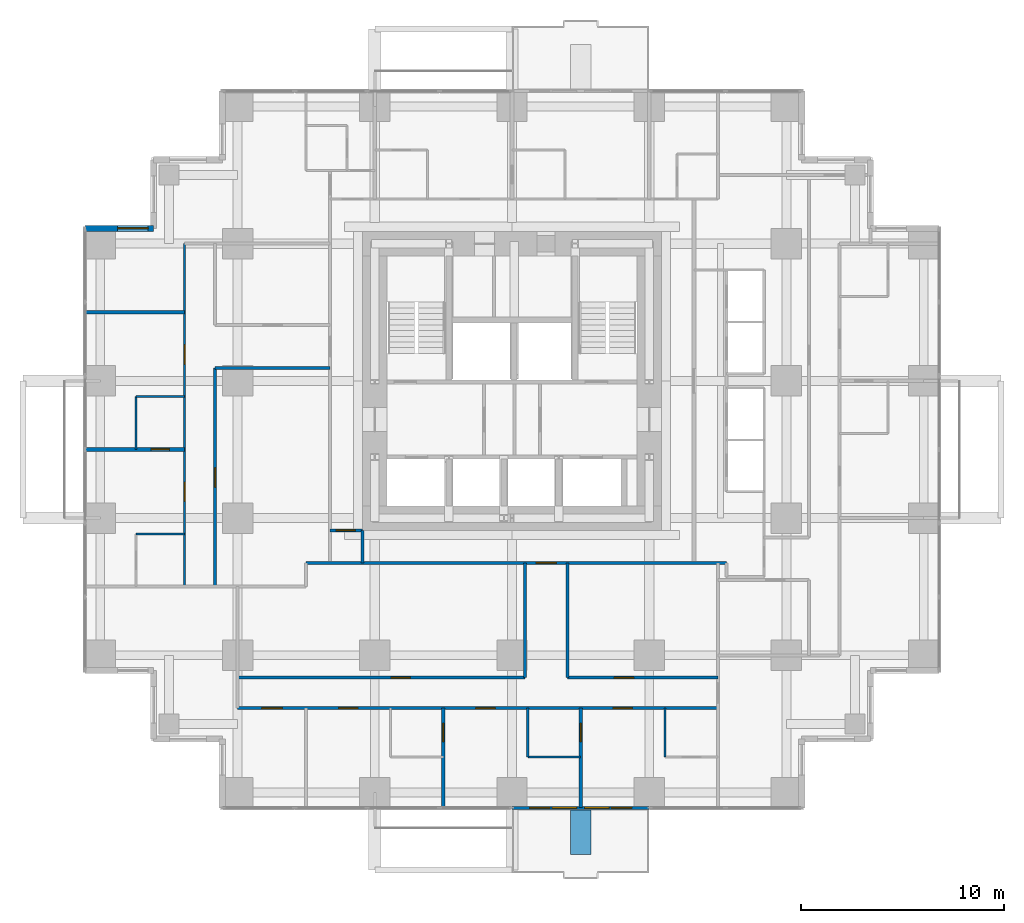
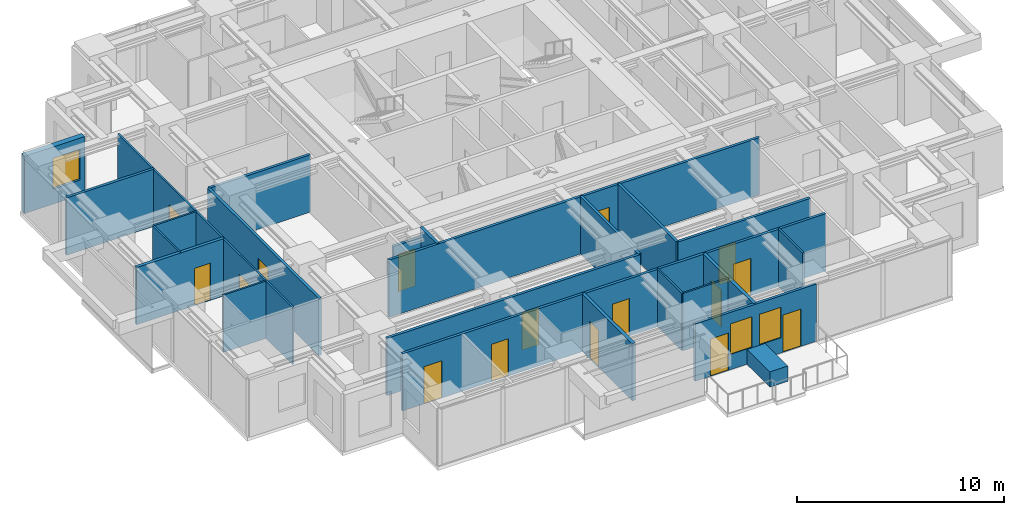
# One storey, part 7 of 12: 24 walls, 16 doors, 3 windows, 19 openings.
"""IFC4 building model written with IfcOpenShell, lengths in metres."""

import ifcopenshell
import ifcopenshell.guid

model = None  # the IFC model being written
_history = None  # IfcOwnerHistory: only IFC2X3 demands one
_inside = {}  # id of a spatial element -> (the spatial element, [elements in it])
_under = {}  # id of a project, library or spatial element -> (it, [spatial elements below it])
_declared = {}  # id of a project -> (the project, [libraries it declares])
_typed = {}  # id of a type object -> (the type object, [elements of that type])
_made_of = {}  # id of a material, layer set ... -> (it, [elements and type objects made of it])


def new_model(schema):
    """Start an empty IFC model of exactly this schema.

    Asked for "IFC4X3", IfcOpenShell would pick the latest addendum, in which some entities
    have other attributes; the version numbers below select the first issue.
    IFC2X3 requires an IfcOwnerHistory on every rooted entity: one is made here for all.
    """
    global model, _history
    if schema == "IFC4X3":
        model = ifcopenshell.file(schema_version=(4, 3, 0, 0))
    else:
        model = ifcopenshell.file(schema=schema)
    _inside.clear()
    _under.clear()
    _declared.clear()
    _typed.clear()
    _made_of.clear()
    _history = None
    if model.schema == "IFC2X3":
        org = make("IfcOrganization", Name="unknown")
        user = make(
            "IfcPersonAndOrganization",
            ThePerson=make("IfcPerson", FamilyName="unknown"),
            TheOrganization=org,
        )
        app = make(
            "IfcApplication",
            ApplicationDeveloper=org,
            Version="unknown",
            ApplicationFullName="unknown",
            ApplicationIdentifier="unknown",
        )
        _history = make(
            "IfcOwnerHistory",
            OwningUser=user,
            OwningApplication=app,
            ChangeAction="ADDED",
            CreationDate=0,
        )
    return model


def make(cls, **values):
    """One entity of the class cls with the attributes given. An attribute that is None is left unset."""
    return model.create_entity(
        cls, **{name: value for name, value in values.items() if value is not None}
    )


def rooted(cls, **values):
    """An entity with a GlobalId (a new one), such as an element, a storey or a relation."""
    return make(cls, GlobalId=ifcopenshell.guid.new(), OwnerHistory=_history, **values)


def si_unit(unit_type, name, prefix=None):
    """IfcSIUnit, for example si_unit("LENGTHUNIT", "METRE", prefix="MILLI")."""
    return make("IfcSIUnit", UnitType=unit_type, Prefix=prefix, Name=name)


def assignment(units):
    """IfcUnitAssignment: the units of a project."""
    return None if units is None else make("IfcUnitAssignment", Units=units)


def point(xyz):
    """IfcCartesianPoint."""
    return None if xyz is None else make("IfcCartesianPoint", Coordinates=xyz)


def direction(xyz):
    """IfcDirection."""
    return None if xyz is None else make("IfcDirection", DirectionRatios=xyz)


def frame(location, z_axis=None, x_axis=None):
    """IfcAxis2Placement3D, a coordinate frame: its origin and axes. An axis left out is left unset."""
    return make(
        "IfcAxis2Placement3D",
        Location=point(location),
        Axis=direction(z_axis),
        RefDirection=direction(x_axis),
    )


def frame_2d(location, x_axis=None):
    """IfcAxis2Placement2D, a coordinate frame in the plane: its origin and x axis."""
    return make(
        "IfcAxis2Placement2D", Location=point(location), RefDirection=direction(x_axis)
    )


def origin():
    """The frame at (0, 0, 0) with its axes left unset."""
    return frame((0.0, 0.0, 0.0))


def place(relative_to, where):
    """IfcLocalPlacement: puts the frame where relative to a parent placement (None: the world)."""
    return make(
        "IfcLocalPlacement", PlacementRelTo=relative_to, RelativePlacement=where
    )


def context(
    kind, dimensions, precision=None, world=None, true_north=None, identifier=None
):
    """IfcGeometricRepresentationContext, for example the 3D "Model" context."""
    return make(
        "IfcGeometricRepresentationContext",
        ContextIdentifier=identifier,
        ContextType=kind,
        CoordinateSpaceDimension=dimensions,
        Precision=precision,
        WorldCoordinateSystem=world,
        TrueNorth=true_north,
    )


def subcontext(parent, identifier, kind, view, scale=None):
    """IfcGeometricRepresentationSubContext, for example "Body" below "Model"."""
    return make(
        "IfcGeometricRepresentationSubContext",
        ContextIdentifier=identifier,
        ContextType=kind,
        ParentContext=parent,
        TargetScale=scale,
        TargetView=view,
    )


def project(units=None, contexts=None):
    """IfcProject with its units and contexts."""
    return rooted(
        "IfcProject",
        Name="project",
        RepresentationContexts=contexts,
        UnitsInContext=assignment(units),
    )


def spatial(cls, under=None, at=None, **own):
    """A site, building, storey or space (cls), placed at a placement, below another one or the project."""
    s = rooted(cls, ObjectPlacement=at, **own)
    if under is not None:
        _under.setdefault(under.id(), (under, []))[1].append(s)
    return s


def profile(cls, at=None, kind="AREA", **sizes):
    """A parametric profile (cls). Its sizes go by their IFC names, for example OverallWidth=200.0."""
    return make(cls, ProfileType=kind, Position=at, **sizes)


def rectangle(**sizes):
    """IfcRectangleProfileDef."""
    return profile("IfcRectangleProfileDef", **sizes)


def extrude(swept, where, along, depth):
    """IfcExtrudedAreaSolid: the profile swept, set in the frame where, extruded along a direction by depth."""
    return make(
        "IfcExtrudedAreaSolid",
        SweptArea=swept,
        Position=where,
        ExtrudedDirection=direction(along),
        Depth=depth,
    )


def shape(context_of_items, identifier, shape_type, items):
    """IfcShapeRepresentation: the items that make up one representation, for example the "Body"."""
    return make(
        "IfcShapeRepresentation",
        ContextOfItems=context_of_items,
        RepresentationIdentifier=identifier,
        RepresentationType=shape_type,
        Items=items,
    )


def material(Name=None, Category=None):
    """IfcMaterial."""
    return make("IfcMaterial", Name=Name, Category=Category)


def layer(
    of_material, thickness, ventilated=None, Name=None, Category=None, Priority=None
):
    """IfcMaterialLayer: one layer of a wall or slab, of a material (None: an air gap)."""
    return make(
        "IfcMaterialLayer",
        Material=of_material,
        LayerThickness=thickness,
        IsVentilated=ventilated,
        Name=Name,
        Category=Category,
        Priority=Priority,
    )


def layer_set(layers, Name=None):
    """IfcMaterialLayerSet."""
    return make("IfcMaterialLayerSet", MaterialLayers=layers, LayerSetName=Name)


def made_of(thing, what):
    """Note that an element or type object is made of a material, layer set ...; save() writes the relation."""
    if what is not None:
        _made_of.setdefault(what.id(), (what, []))[1].append(thing)
    return thing


def type_object(cls, material=None, **own):
    """A type object (cls), such as IfcWallType, which elements share."""
    return made_of(rooted(cls, **own), material)


def element(
    cls,
    number,
    at=None,
    inside=None,
    cuts=None,
    type_object=None,
    material=None,
    context=None,
    identifier="Body",
    shape_type=None,
    held_by="IfcProductDefinitionShape",
    body=None,
    shapes=None,
    **own,
):
    """One element of the class cls, such as IfcWall. Its Tag is "e" and its number.

    at: its placement. inside: the storey or other place that contains it. cuts: it is an
    opening in that element (IfcRelVoidsElement). A single representation is given by context,
    identifier, shape_type and body (its items); several are given by shapes. held_by: the class
    of the entity that holds the representations. save() writes the other relations.
    """
    e = rooted(cls, Tag="e%d" % number, ObjectPlacement=at, **own)
    if body is not None:
        shapes = [shape(context, identifier, shape_type, body)]
    if shapes is not None:
        e.Representation = make(held_by, Representations=shapes)
    if inside is not None:
        _inside.setdefault(inside.id(), (inside, []))[1].append(e)
    if cuts is not None:
        rooted(
            "IfcRelVoidsElement", RelatingBuildingElement=cuts, RelatedOpeningElement=e
        )
    if type_object is not None:
        _typed.setdefault(type_object.id(), (type_object, []))[1].append(e)
    return made_of(e, material)


def fill(opening, filler):
    """IfcRelFillsElement: the door or window that sits in an opening."""
    return rooted(
        "IfcRelFillsElement",
        RelatingOpeningElement=opening,
        RelatedBuildingElement=filler,
    )


def aggregate(whole, parts):
    """IfcRelAggregates: a whole, such as a stair, and the parts it consists of."""
    return rooted("IfcRelAggregates", RelatingObject=whole, RelatedObjects=parts)


def save(model, path):
    """Write the relations noted so far, then the file.

    IfcRelAggregates (storeys below a building ...), IfcRelContainedInSpatialStructure (elements
    in a storey), IfcRelDefinesByType, IfcRelAssociatesMaterial and IfcRelDeclares: one each for
    every whole, place, type object, material and project.
    """
    for whole, parts in _under.values():
        aggregate(whole, parts)
    for where, things in _inside.values():
        rooted(
            "IfcRelContainedInSpatialStructure",
            RelatedElements=things,
            RelatingStructure=where,
        )
    for kind, things in _typed.values():
        rooted("IfcRelDefinesByType", RelatedObjects=things, RelatingType=kind)
    for what, things in _made_of.values():
        rooted("IfcRelAssociatesMaterial", RelatedObjects=things, RelatingMaterial=what)
    for by, libraries in _declared.values():
        rooted("IfcRelDeclares", RelatingContext=by, RelatedDefinitions=libraries)
    model.write(path)


model = new_model("IFC4")

# Units and contexts
model_context = context("Model", 3, precision=1e-05, world=origin(), true_north=direction((0.0, 1.0)))
body_context = subcontext(model_context, "Body", "Model", "MODEL_VIEW")
ifc_project = project(units=[si_unit("LENGTHUNIT", "METRE"), si_unit("AREAUNIT", "SQUARE_METRE"), si_unit("VOLUMEUNIT", "CUBIC_METRE"), si_unit("PLANEANGLEUNIT", "RADIAN"), si_unit("MASSUNIT", "GRAM", prefix="KILO")], contexts=[model_context])

# Site, building, storey
site_placement = place(None, origin())
site = spatial("IfcSite", under=ifc_project, at=site_placement, CompositionType="ELEMENT")
building_placement = place(site_placement, origin())
building = spatial("IfcBuilding", under=site, at=building_placement, Name="Nyansa Garden Tower", CompositionType="ELEMENT")
storey_placement = place(building_placement, frame((0.0, 0.0, 112.5)))
storey = spatial("IfcBuildingStorey", under=building, at=storey_placement, Name="L30", CompositionType="ELEMENT", Elevation=112.5)

# Wall, opening, door
ifc_material_1 = material(Name="Dense blockwork, plastered both sides, 55 dB", Category="masonry")
ifc_layer_1 = layer(ifc_material_1, 0.175048828125)
ifc_layer_set_1 = layer_set([ifc_layer_1], Name="Acoustic party wall PW175")
wall_type_1 = type_object("IfcWallType", Name="Acoustic party wall PW175", PredefinedType="PARTITIONING", material=ifc_layer_set_1)
wall_1_placement = place(storey_placement, frame((-0.73388671875, 16.875, 0.0), z_axis=(0.0, 0.0, 1.0), x_axis=(1.0, 0.0, 0.0)))
wall_1 = element("IfcWall", 1, at=wall_1_placement, inside=storey, type_object=wall_type_1, Name="Party wall", PredefinedType="PARTITIONING", context=body_context, shape_type="SweptSolid", body=[
    extrude(rectangle(XDim=4.8837890625, YDim=0.175048828125, at=frame_2d((2.44189453125, 0.0))), origin(), (0.0, 0.0, 1.0), 3.375),
])
opening_1_placement = place(wall_1_placement, frame((3.23388671875, 0.0, 0.0)))
opening_1 = element("IfcOpeningElement", 2, at=opening_1_placement, cuts=wall_1, Name="Opening D02", PredefinedType="OPENING", context=body_context, shape_type="SweptSolid", body=[
    extrude(rectangle(XDim=0.89990234375, YDim=2.199951171875, at=frame_2d((0.449951171875, 1.10009765625))), frame((0.0, 0.097412109375, 0.0), z_axis=(0.0, -1.0, 0.0), x_axis=(1.0, 0.0, 0.0)), (0.0, 0.0, 1.0), 0.195068359375),
])
ifc_material_2 = material(Name="Timber flush door", Category="wood")
door_type_1 = type_object("IfcDoorType", Name="En-suite door D02 900x2200", OperationType="SINGLE_SWING_RIGHT", PredefinedType="DOOR", material=ifc_material_2)
door_1_placement = place(opening_1_placement, origin())
door_1 = element("IfcDoor", 3, at=door_1_placement, inside=storey, type_object=door_type_1, Name="Door L30-050", OperationType="SINGLE_SWING_RIGHT", OverallHeight=2.199951171875, OverallWidth=0.89990234375, PredefinedType="DOOR", context=body_context, shape_type="SweptSolid", body=[
    extrude(rectangle(XDim=0.89990234375, YDim=2.199951171875, at=frame_2d((0.449951171875, 1.10009765625))), frame((0.0, 0.02490234375, 0.0), z_axis=(0.0, -1.0, 0.0), x_axis=(1.0, 0.0, 0.0)), (0.0, 0.0, 1.0), 0.050048828125),
])
fill(opening_1, door_1)

wall_2_placement = place(storey_placement, frame((16.875, -0.73388671875, 0.0), z_axis=(0.0, 0.0, 1.0), x_axis=(0.0, 1.0, 0.0)))
wall_2 = element("IfcWall", 4, at=wall_2_placement, inside=storey, type_object=wall_type_1, Name="Party wall", PredefinedType="PARTITIONING", context=body_context, shape_type="SweptSolid", body=[
    extrude(rectangle(XDim=4.8837890625, YDim=0.175048828125, at=frame_2d((2.44189453125, 0.0))), origin(), (0.0, 0.0, 1.0), 3.375),
])
opening_2_placement = place(wall_2_placement, frame((3.23388671875, 0.0, 0.0)))
opening_2 = element("IfcOpeningElement", 5, at=opening_2_placement, cuts=wall_2, Name="Opening D02", PredefinedType="OPENING", context=body_context, shape_type="SweptSolid", body=[
    extrude(rectangle(XDim=0.89990234375, YDim=2.199951171875, at=frame_2d((0.449951171875, 1.10009765625))), frame((0.0, 0.097412109375, 0.0), z_axis=(0.0, -1.0, 0.0), x_axis=(1.0, 0.0, 0.0)), (0.0, 0.0, 1.0), 0.195068359375),
])
door_2_placement = place(opening_2_placement, origin())
door_2 = element("IfcDoor", 6, at=door_2_placement, inside=storey, type_object=door_type_1, Name="Door L30-024", OperationType="SINGLE_SWING_RIGHT", OverallHeight=2.199951171875, OverallWidth=0.89990234375, PredefinedType="DOOR", context=body_context, shape_type="SweptSolid", body=[
    extrude(rectangle(XDim=0.89990234375, YDim=2.199951171875, at=frame_2d((0.449951171875, 1.10009765625))), frame((0.0, 0.02490234375, 0.0), z_axis=(0.0, -1.0, 0.0), x_axis=(1.0, 0.0, 0.0)), (0.0, 0.0, 1.0), 0.050048828125),
])
fill(opening_2, door_2)

wall_3_placement = place(storey_placement, frame((23.625, -0.73388671875, 0.0), z_axis=(0.0, 0.0, 1.0), x_axis=(0.0, 1.0, 0.0)))
wall_3 = element("IfcWall", 7, at=wall_3_placement, inside=storey, type_object=wall_type_1, Name="Party wall", PredefinedType="PARTITIONING", context=body_context, shape_type="SweptSolid", body=[
    extrude(rectangle(XDim=4.8837890625, YDim=0.175048828125, at=frame_2d((2.44189453125, 0.0))), origin(), (0.0, 0.0, 1.0), 3.375),
])
opening_3_placement = place(wall_3_placement, frame((3.23388671875, 0.0, 0.0)))
opening_3 = element("IfcOpeningElement", 8, at=opening_3_placement, cuts=wall_3, Name="Opening D02", PredefinedType="OPENING", context=body_context, shape_type="SweptSolid", body=[
    extrude(rectangle(XDim=0.89990234375, YDim=2.199951171875, at=frame_2d((0.449951171875, 1.10009765625))), frame((0.0, 0.097412109375, 0.0), z_axis=(0.0, -1.0, 0.0), x_axis=(1.0, 0.0, 0.0)), (0.0, 0.0, 1.0), 0.195068359375),
])
door_3_placement = place(opening_3_placement, origin())
door_3 = element("IfcDoor", 9, at=door_3_placement, inside=storey, type_object=door_type_1, Name="Door L30-022", OperationType="SINGLE_SWING_RIGHT", OverallHeight=2.199951171875, OverallWidth=0.89990234375, PredefinedType="DOOR", context=body_context, shape_type="SweptSolid", body=[
    extrude(rectangle(XDim=0.89990234375, YDim=2.199951171875, at=frame_2d((0.449951171875, 1.10009765625))), frame((0.0, 0.02490234375, 0.0), z_axis=(0.0, -1.0, 0.0), x_axis=(1.0, 0.0, 0.0)), (0.0, 0.0, 1.0), 0.050048828125),
])
fill(opening_3, door_3)

# Wall, openings, doors, windows
ifc_material_3 = material(Name="Black aluminium framed glazed screen", Category="aluminium")
ifc_layer_2 = layer(ifc_material_3, 0.14990234375)
ifc_layer_set_2 = layer_set([ifc_layer_2], Name="Balcony screen wall BW150")
wall_type_2 = type_object("IfcWallType", Name="Balcony screen wall BW150", PredefinedType="SOLIDWALL", material=ifc_layer_set_2)
wall_4_placement = place(storey_placement, frame((27.0, -0.75, 0.0), z_axis=(0.0, 0.0, 1.0), x_axis=(-1.0, 0.0, 0.0)))
wall_4 = element("IfcWall", 10, at=wall_4_placement, inside=storey, type_object=wall_type_2, Name="Glazed screen wall L30 S", PredefinedType="SOLIDWALL", context=body_context, shape_type="SweptSolid", body=[
    extrude(rectangle(XDim=6.75, YDim=0.14990234375, at=frame_2d((3.375, 0.0))), origin(), (0.0, 0.0, 1.0), 3.375),
])
opening_4_placement = place(wall_4_placement, frame((0.862548828125, 0.0, 0.0)))
opening_4 = element("IfcOpeningElement", 11, at=opening_4_placement, cuts=wall_4, Name="Opening D20", PredefinedType="OPENING", context=body_context, shape_type="SweptSolid", body=[
    extrude(rectangle(XDim=1.0, YDim=2.199951171875, at=frame_2d((0.5, 1.10009765625))), frame((0.0, 0.0849609375, 0.0), z_axis=(0.0, -1.0, 0.0), x_axis=(1.0, 0.0, 0.0)), (0.0, 0.0, 1.0), 0.169921875),
])
opening_5_placement = place(wall_4_placement, frame((1.97509765625, 0.0, 0.89990234375)))
opening_5 = element("IfcOpeningElement", 12, at=opening_5_placement, cuts=wall_4, Name="Opening W6", PredefinedType="OPENING", context=body_context, shape_type="SweptSolid", body=[
    extrude(rectangle(XDim=1.199951171875, YDim=1.800048828125, at=frame_2d((0.60009765625, 0.89990234375))), frame((0.0, 0.0849609375, 0.0), z_axis=(0.0, -1.0, 0.0), x_axis=(1.0, 0.0, 0.0)), (0.0, 0.0, 1.0), 0.169921875),
])
opening_6_placement = place(wall_4_placement, frame((4.887451171875, 0.0, 0.0)))
opening_6 = element("IfcOpeningElement", 13, at=opening_6_placement, cuts=wall_4, Name="Opening D20", PredefinedType="OPENING", context=body_context, shape_type="SweptSolid", body=[
    extrude(rectangle(XDim=1.0, YDim=2.199951171875, at=frame_2d((0.5, 1.10009765625))), frame((0.0, 0.0849609375, 0.0), z_axis=(0.0, -1.0, 0.0), x_axis=(1.0, 0.0, 0.0)), (0.0, 0.0, 1.0), 0.169921875),
])
opening_7_placement = place(wall_4_placement, frame((3.574951171875, 0.0, 0.89990234375)))
opening_7 = element("IfcOpeningElement", 14, at=opening_7_placement, cuts=wall_4, Name="Opening W6", PredefinedType="OPENING", context=body_context, shape_type="SweptSolid", body=[
    extrude(rectangle(XDim=1.199951171875, YDim=1.800048828125, at=frame_2d((0.60009765625, 0.89990234375))), frame((0.0, 0.0849609375, 0.0), z_axis=(0.0, -1.0, 0.0), x_axis=(1.0, 0.0, 0.0)), (0.0, 0.0, 1.0), 0.169921875),
])
ifc_material_4 = material(Name="Black aluminium framed glazed door", Category="aluminium")
door_type_2 = type_object("IfcDoorType", Name="Balcony door D20 1000x2200", OperationType="NOTDEFINED", PredefinedType="DOOR", material=ifc_material_4)
door_4_placement = place(opening_4_placement, origin())
door_4 = element("IfcDoor", 15, at=door_4_placement, inside=storey, type_object=door_type_2, Name="Balcony door L30", OperationType="SINGLE_SWING_LEFT", OverallHeight=2.199951171875, OverallWidth=1.0, PredefinedType="DOOR", context=body_context, shape_type="SweptSolid", body=[
    extrude(rectangle(XDim=1.0, YDim=2.199951171875, at=frame_2d((0.5, 1.10009765625))), frame((0.0, 0.02490234375, 0.0), z_axis=(0.0, -1.0, 0.0), x_axis=(1.0, 0.0, 0.0)), (0.0, 0.0, 1.0), 0.050048828125),
])
fill(opening_4, door_4)
door_5_placement = place(opening_6_placement, origin())
door_5 = element("IfcDoor", 16, at=door_5_placement, inside=storey, type_object=door_type_2, Name="Balcony door L30", OperationType="SINGLE_SWING_RIGHT", OverallHeight=2.199951171875, OverallWidth=1.0, PredefinedType="DOOR", context=body_context, shape_type="SweptSolid", body=[
    extrude(rectangle(XDim=1.0, YDim=2.199951171875, at=frame_2d((0.5, 1.10009765625))), frame((0.0, 0.02490234375, 0.0), z_axis=(0.0, -1.0, 0.0), x_axis=(1.0, 0.0, 0.0)), (0.0, 0.0, 1.0), 0.050048828125),
])
fill(opening_6, door_5)
ifc_material_5 = material(Name="Black aluminium frame, dark tinted double glazing", Category="aluminium")
window_type_1 = type_object("IfcWindowType", Name="Balcony window W6 1200x1800", PartitioningType="SINGLE_PANEL", PredefinedType="WINDOW", material=ifc_material_5)
window_1_placement = place(opening_5_placement, origin())
window_1 = element("IfcWindow", 17, at=window_1_placement, inside=storey, type_object=window_type_1, Name="Window L30", OverallHeight=1.800048828125, OverallWidth=1.199951171875, PartitioningType="SINGLE_PANEL", PredefinedType="WINDOW", context=body_context, shape_type="SweptSolid", body=[
    extrude(rectangle(XDim=1.199951171875, YDim=1.800048828125, at=frame_2d((0.60009765625, 0.89990234375))), frame((0.0, 0.030029296875, 0.0), z_axis=(0.0, -1.0, 0.0), x_axis=(1.0, 0.0, 0.0)), (0.0, 0.0, 1.0), 0.06005859375),
])
fill(opening_5, window_1)
window_2_placement = place(opening_7_placement, origin())
window_2 = element("IfcWindow", 18, at=window_2_placement, inside=storey, type_object=window_type_1, Name="Window L30", OverallHeight=1.800048828125, OverallWidth=1.199951171875, PartitioningType="SINGLE_PANEL", PredefinedType="WINDOW", context=body_context, shape_type="SweptSolid", body=[
    extrude(rectangle(XDim=1.199951171875, YDim=1.800048828125, at=frame_2d((0.60009765625, 0.89990234375))), frame((0.0, 0.030029296875, 0.0), z_axis=(0.0, -1.0, 0.0), x_axis=(1.0, 0.0, 0.0)), (0.0, 0.0, 1.0), 0.06005859375),
])
fill(opening_7, window_2)

# Wall
ifc_material_6 = material(Name="Blockwork, plastered both sides", Category="masonry")
ifc_layer_3 = layer(ifc_material_6, 0.14990234375)
ifc_layer_set_3 = layer_set([ifc_layer_3], Name="Partition PW150")
wall_type_3 = type_object("IfcWallType", Name="Partition PW150", PredefinedType="PARTITIONING", material=ifc_layer_set_3)
wall_5_placement = place(storey_placement, frame((-0.73388671875, 23.625, 0.0), z_axis=(0.0, 0.0, 1.0), x_axis=(1.0, 0.0, 0.0)))
element("IfcWall", 19, at=wall_5_placement, inside=storey, type_object=wall_type_3, Name="Partition", PredefinedType="PARTITIONING", context=body_context, shape_type="SweptSolid", body=[
    extrude(rectangle(XDim=4.8837890625, YDim=0.14990234375, at=frame_2d((2.44189453125, 0.0))), origin(), (0.0, 0.0, 1.0), 3.375),
])

# Wall, opening, door
wall_6_placement = place(storey_placement, frame((5.64990234375, 10.125, 0.0), z_axis=(0.0, 0.0, 1.0), x_axis=(0.0, 1.0, 0.0)))
wall_6 = element("IfcWall", 20, at=wall_6_placement, inside=storey, type_object=wall_type_3, Name="Partition", PredefinedType="PARTITIONING", context=body_context, shape_type="SweptSolid", body=[
    extrude(rectangle(XDim=10.762451171875, YDim=0.14990234375, at=frame_2d((5.38134765625, 0.0))), origin(), (0.0, 0.0, 1.0), 3.375),
])
opening_8_placement = place(wall_6_placement, frame((4.89990234375, 0.0, 0.0)))
opening_8 = element("IfcOpeningElement", 21, at=opening_8_placement, cuts=wall_6, Name="Opening D01", PredefinedType="OPENING", context=body_context, shape_type="SweptSolid", body=[
    extrude(rectangle(XDim=0.949951171875, YDim=2.199951171875, at=frame_2d((0.47509765625, 1.10009765625))), frame((0.0, 0.0849609375, 0.0), z_axis=(0.0, -1.0, 0.0), x_axis=(1.0, 0.0, 0.0)), (0.0, 0.0, 1.0), 0.169921875),
])
ifc_material_7 = material(Name="Timber flush door, 30 minute fire resisting", Category="wood")
door_type_3 = type_object("IfcDoorType", Name="Bedroom door D01 950x2200", OperationType="SINGLE_SWING_LEFT", PredefinedType="DOOR", material=ifc_material_7)
door_6_placement = place(opening_8_placement, origin())
door_6 = element("IfcDoor", 22, at=door_6_placement, inside=storey, type_object=door_type_3, Name="Door L30-052", OperationType="SINGLE_SWING_LEFT", OverallHeight=2.199951171875, OverallWidth=0.949951171875, PredefinedType="DOOR", context=body_context, shape_type="SweptSolid", body=[
    extrude(rectangle(XDim=0.949951171875, YDim=2.199951171875, at=frame_2d((0.47509765625, 1.10009765625))), frame((0.0, 0.02490234375, 0.0), z_axis=(0.0, -1.0, 0.0), x_axis=(1.0, 0.0, 0.0)), (0.0, 0.0, 1.0), 0.050048828125),
])
fill(opening_8, door_6)

# Wall
wall_7_placement = place(storey_placement, frame((5.64990234375, 20.886962890625, 0.0), z_axis=(0.0, 0.0, 1.0), x_axis=(1.0, 0.0, 0.0)))
element("IfcWall", 23, at=wall_7_placement, inside=storey, type_object=wall_type_3, Name="Partition", PredefinedType="PARTITIONING", context=body_context, shape_type="SweptSolid", body=[
    extrude(rectangle(XDim=5.650146484375, YDim=0.14990234375, at=frame_2d((2.8251953125, 0.0))), origin(), (0.0, 0.0, 1.0), 3.375),
])

# Wall, openings, doors
wall_8_placement = place(storey_placement, frame((6.75, 4.14990234375, 0.0), z_axis=(0.0, 0.0, 1.0), x_axis=(1.0, 0.0, 0.0)))
wall_8 = element("IfcWall", 24, at=wall_8_placement, inside=storey, type_object=wall_type_3, Name="Partition", PredefinedType="PARTITIONING", context=body_context, shape_type="SweptSolid", body=[
    extrude(rectangle(XDim=23.625, YDim=0.14990234375, at=frame_2d((11.8125, 0.0))), origin(), (0.0, 0.0, 1.0), 3.375),
])
opening_9_placement = place(wall_8_placement, frame((1.199951171875, 0.0, 0.0)))
opening_9 = element("IfcOpeningElement", 25, at=opening_9_placement, cuts=wall_8, Name="Opening D03", PredefinedType="OPENING", context=body_context, shape_type="SweptSolid", body=[
    extrude(rectangle(XDim=1.0, YDim=2.199951171875, at=frame_2d((0.5, 1.10009765625))), frame((0.0, 0.0849609375, 0.0), z_axis=(0.0, -1.0, 0.0), x_axis=(1.0, 0.0, 0.0)), (0.0, 0.0, 1.0), 0.169921875),
])
opening_10_placement = place(wall_8_placement, frame((18.47509765625, 0.0, 0.0)))
opening_10 = element("IfcOpeningElement", 26, at=opening_10_placement, cuts=wall_8, Name="Opening D14", PredefinedType="OPENING", context=body_context, shape_type="SweptSolid", body=[
    extrude(rectangle(XDim=0.949951171875, YDim=2.199951171875, at=frame_2d((0.47509765625, 1.10009765625))), frame((0.0, 0.0849609375, 0.0), z_axis=(0.0, -1.0, 0.0), x_axis=(1.0, 0.0, 0.0)), (0.0, 0.0, 1.0), 0.169921875),
])
opening_11_placement = place(wall_8_placement, frame((11.72509765625, 0.0, 0.0)))
opening_11 = element("IfcOpeningElement", 27, at=opening_11_placement, cuts=wall_8, Name="Opening D14", PredefinedType="OPENING", context=body_context, shape_type="SweptSolid", body=[
    extrude(rectangle(XDim=0.949951171875, YDim=2.199951171875, at=frame_2d((0.47509765625, 1.10009765625))), frame((0.0, 0.0849609375, 0.0), z_axis=(0.0, -1.0, 0.0), x_axis=(1.0, 0.0, 0.0)), (0.0, 0.0, 1.0), 0.169921875),
])
opening_12_placement = place(wall_8_placement, frame((4.97509765625, 0.0, 0.0)))
opening_12 = element("IfcOpeningElement", 28, at=opening_12_placement, cuts=wall_8, Name="Opening D14", PredefinedType="OPENING", context=body_context, shape_type="SweptSolid", body=[
    extrude(rectangle(XDim=0.949951171875, YDim=2.199951171875, at=frame_2d((0.47509765625, 1.10009765625))), frame((0.0, 0.0849609375, 0.0), z_axis=(0.0, -1.0, 0.0), x_axis=(1.0, 0.0, 0.0)), (0.0, 0.0, 1.0), 0.169921875),
])
ifc_material_8 = material(Name="Timber flush door, 60 minute fire resisting", Category="wood")
door_type_4 = type_object("IfcDoorType", Name="Cluster entrance door D03 1000x2200", OperationType="SINGLE_SWING_LEFT", PredefinedType="DOOR", material=ifc_material_8)
door_7_placement = place(opening_9_placement, origin())
door_7 = element("IfcDoor", 29, at=door_7_placement, inside=storey, type_object=door_type_4, Name="Door L30-018", OperationType="SINGLE_SWING_LEFT", OverallHeight=2.199951171875, OverallWidth=1.0, PredefinedType="DOOR", context=body_context, shape_type="SweptSolid", body=[
    extrude(rectangle(XDim=1.0, YDim=2.199951171875, at=frame_2d((0.5, 1.10009765625))), frame((0.0, 0.02490234375, 0.0), z_axis=(0.0, -1.0, 0.0), x_axis=(1.0, 0.0, 0.0)), (0.0, 0.0, 1.0), 0.050048828125),
])
fill(opening_9, door_7)
ifc_material_9 = material(Name="Timber flush door, 60 minute fire resisting, self-closing", Category="wood")
door_type_5 = type_object("IfcDoorType", Name="Studio entrance door D14 950x2200", OperationType="SINGLE_SWING_LEFT", PredefinedType="DOOR", material=ifc_material_9)
door_8_placement = place(opening_10_placement, origin())
door_8 = element("IfcDoor", 30, at=door_8_placement, inside=storey, type_object=door_type_5, Name="Door L30-019", OperationType="SINGLE_SWING_LEFT", OverallHeight=2.199951171875, OverallWidth=0.949951171875, PredefinedType="DOOR", context=body_context, shape_type="SweptSolid", body=[
    extrude(rectangle(XDim=0.949951171875, YDim=2.199951171875, at=frame_2d((0.47509765625, 1.10009765625))), frame((0.0, 0.02490234375, 0.0), z_axis=(0.0, -1.0, 0.0), x_axis=(1.0, 0.0, 0.0)), (0.0, 0.0, 1.0), 0.050048828125),
])
fill(opening_10, door_8)
door_9_placement = place(opening_11_placement, origin())
door_9 = element("IfcDoor", 31, at=door_9_placement, inside=storey, type_object=door_type_5, Name="Door L30-021", OperationType="SINGLE_SWING_LEFT", OverallHeight=2.199951171875, OverallWidth=0.949951171875, PredefinedType="DOOR", context=body_context, shape_type="SweptSolid", body=[
    extrude(rectangle(XDim=0.949951171875, YDim=2.199951171875, at=frame_2d((0.47509765625, 1.10009765625))), frame((0.0, 0.02490234375, 0.0), z_axis=(0.0, -1.0, 0.0), x_axis=(1.0, 0.0, 0.0)), (0.0, 0.0, 1.0), 0.050048828125),
])
fill(opening_11, door_9)
door_10_placement = place(opening_12_placement, origin())
door_10 = element("IfcDoor", 32, at=door_10_placement, inside=storey, type_object=door_type_5, Name="Door L30-023", OperationType="SINGLE_SWING_LEFT", OverallHeight=2.199951171875, OverallWidth=0.949951171875, PredefinedType="DOOR", context=body_context, shape_type="SweptSolid", body=[
    extrude(rectangle(XDim=0.949951171875, YDim=2.199951171875, at=frame_2d((0.47509765625, 1.10009765625))), frame((0.0, 0.02490234375, 0.0), z_axis=(0.0, -1.0, 0.0), x_axis=(1.0, 0.0, 0.0)), (0.0, 0.0, 1.0), 0.050048828125),
])
fill(opening_12, door_10)

# Wall, opening, door
wall_9_placement = place(storey_placement, frame((6.75, 5.64990234375, 0.0), z_axis=(0.0, 0.0, 1.0), x_axis=(1.0, 0.0, 0.0)))
wall_9 = element("IfcWall", 33, at=wall_9_placement, inside=storey, type_object=wall_type_3, Name="Partition", PredefinedType="PARTITIONING", context=body_context, shape_type="SweptSolid", body=[
    extrude(rectangle(XDim=14.137451171875, YDim=0.14990234375, at=frame_2d((7.06884765625, 0.0))), origin(), (0.0, 0.0, 1.0), 3.375),
])
opening_13_placement = place(wall_9_placement, frame((7.550048828125, 0.0, 0.0)))
opening_13 = element("IfcOpeningElement", 34, at=opening_13_placement, cuts=wall_9, Name="Opening D01", PredefinedType="OPENING", context=body_context, shape_type="SweptSolid", body=[
    extrude(rectangle(XDim=0.949951171875, YDim=2.199951171875, at=frame_2d((0.47509765625, 1.10009765625))), frame((0.0, 0.0849609375, 0.0), z_axis=(0.0, -1.0, 0.0), x_axis=(1.0, 0.0, 0.0)), (0.0, 0.0, 1.0), 0.169921875),
])
door_11_placement = place(opening_13_placement, origin())
door_11 = element("IfcDoor", 35, at=door_11_placement, inside=storey, type_object=door_type_3, Name="Door L30-027", OperationType="SINGLE_SWING_LEFT", OverallHeight=2.199951171875, OverallWidth=0.949951171875, PredefinedType="DOOR", context=body_context, shape_type="SweptSolid", body=[
    extrude(rectangle(XDim=0.949951171875, YDim=2.199951171875, at=frame_2d((0.47509765625, 1.10009765625))), frame((0.0, 0.02490234375, 0.0), z_axis=(0.0, -1.0, 0.0), x_axis=(1.0, 0.0, 0.0)), (0.0, 0.0, 1.0), 0.050048828125),
])
fill(opening_13, door_11)

wall_10_placement = place(storey_placement, frame((10.125, 11.300048828125, 0.0), z_axis=(0.0, 0.0, 1.0), x_axis=(1.0, 0.0, 0.0)))
wall_10 = element("IfcWall", 36, at=wall_10_placement, inside=storey, type_object=wall_type_3, Name="Partition", PredefinedType="PARTITIONING", context=body_context, shape_type="SweptSolid", body=[
    extrude(rectangle(XDim=20.675048828125, YDim=0.14990234375, at=frame_2d((10.33740234375, 0.0))), origin(), (0.0, 0.0, 1.0), 3.375),
])
opening_14_placement = place(wall_10_placement, frame((11.3125, 0.0, 0.0)))
opening_14 = element("IfcOpeningElement", 37, at=opening_14_placement, cuts=wall_10, Name="Opening D03", PredefinedType="OPENING", context=body_context, shape_type="SweptSolid", body=[
    extrude(rectangle(XDim=1.0, YDim=2.199951171875, at=frame_2d((0.5, 1.10009765625))), frame((0.0, 0.0849609375, 0.0), z_axis=(0.0, -1.0, 0.0), x_axis=(1.0, 0.0, 0.0)), (0.0, 0.0, 1.0), 0.169921875),
])
door_12_placement = place(opening_14_placement, origin())
door_12 = element("IfcDoor", 38, at=door_12_placement, inside=storey, type_object=door_type_4, Name="Door L30-025", OperationType="SINGLE_SWING_LEFT", OverallHeight=2.199951171875, OverallWidth=1.0, PredefinedType="DOOR", context=body_context, shape_type="SweptSolid", body=[
    extrude(rectangle(XDim=1.0, YDim=2.199951171875, at=frame_2d((0.5, 1.10009765625))), frame((0.0, 0.02490234375, 0.0), z_axis=(0.0, -1.0, 0.0), x_axis=(1.0, 0.0, 0.0)), (0.0, 0.0, 1.0), 0.050048828125),
])
fill(opening_14, door_12)

wall_11_placement = place(storey_placement, frame((11.300048828125, 12.89990234375, 0.0), z_axis=(0.0, 0.0, 1.0), x_axis=(1.0, 0.0, 0.0)))
wall_11 = element("IfcWall", 39, at=wall_11_placement, inside=storey, type_object=wall_type_3, Name="Partition", PredefinedType="PARTITIONING", context=body_context, shape_type="SweptSolid", body=[
    extrude(rectangle(XDim=1.599853515625, YDim=0.14990234375, at=frame_2d((0.7998046875, 0.0))), origin(), (0.0, 0.0, 1.0), 2.805908203125),
])
opening_15_placement = place(wall_11_placement, frame((0.300048828125, 0.0, 0.0)))
opening_15 = element("IfcOpeningElement", 40, at=opening_15_placement, cuts=wall_11, Name="Opening D01", PredefinedType="OPENING", context=body_context, shape_type="SweptSolid", body=[
    extrude(rectangle(XDim=0.949951171875, YDim=2.199951171875, at=frame_2d((0.47509765625, 1.10009765625))), frame((0.0, 0.0849609375, 0.0), z_axis=(0.0, -1.0, 0.0), x_axis=(1.0, 0.0, 0.0)), (0.0, 0.0, 1.0), 0.169921875),
])
door_13_placement = place(opening_15_placement, origin())
door_13 = element("IfcDoor", 41, at=door_13_placement, inside=storey, type_object=door_type_3, Name="Door L30-017", OperationType="SINGLE_SWING_LEFT", OverallHeight=2.199951171875, OverallWidth=0.949951171875, PredefinedType="DOOR", context=body_context, shape_type="SweptSolid", body=[
    extrude(rectangle(XDim=0.949951171875, YDim=2.199951171875, at=frame_2d((0.47509765625, 1.10009765625))), frame((0.0, 0.02490234375, 0.0), z_axis=(0.0, -1.0, 0.0), x_axis=(1.0, 0.0, 0.0)), (0.0, 0.0, 1.0), 0.050048828125),
])
fill(opening_15, door_13)

# Walls
wall_12_placement = place(storey_placement, frame((12.89990234375, 11.300048828125, 0.0), z_axis=(0.0, 0.0, 1.0), x_axis=(0.0, 1.0, 0.0)))
element("IfcWall", 42, at=wall_12_placement, inside=storey, type_object=wall_type_3, Name="Partition", PredefinedType="PARTITIONING", context=body_context, shape_type="SweptSolid", body=[
    extrude(rectangle(XDim=1.599853515625, YDim=0.14990234375, at=frame_2d((0.7998046875, 0.0))), origin(), (0.0, 0.0, 1.0), 3.375),
])
wall_13_placement = place(storey_placement, frame((20.886962890625, 5.64990234375, 0.0), z_axis=(0.0, 0.0, 1.0), x_axis=(0.0, 1.0, 0.0)))
element("IfcWall", 43, at=wall_13_placement, inside=storey, type_object=wall_type_3, Name="Partition", PredefinedType="PARTITIONING", context=body_context, shape_type="SweptSolid", body=[
    extrude(rectangle(XDim=5.650146484375, YDim=0.14990234375, at=frame_2d((2.8251953125, 0.0))), origin(), (0.0, 0.0, 1.0), 3.375),
])

# Wall, opening, door
wall_14_placement = place(storey_placement, frame((22.987548828125, 5.64990234375, 0.0), z_axis=(0.0, 0.0, 1.0), x_axis=(1.0, 0.0, 0.0)))
wall_14 = element("IfcWall", 44, at=wall_14_placement, inside=storey, type_object=wall_type_3, Name="Partition", PredefinedType="PARTITIONING", context=body_context, shape_type="SweptSolid", body=[
    extrude(rectangle(XDim=7.387451171875, YDim=0.14990234375, at=frame_2d((3.69384765625, 0.0))), origin(), (0.0, 0.0, 1.0), 3.375),
])
opening_16_placement = place(wall_14_placement, frame((2.300048828125, 0.0, 0.0)))
opening_16 = element("IfcOpeningElement", 45, at=opening_16_placement, cuts=wall_14, Name="Opening D01", PredefinedType="OPENING", context=body_context, shape_type="SweptSolid", body=[
    extrude(rectangle(XDim=0.949951171875, YDim=2.199951171875, at=frame_2d((0.47509765625, 1.10009765625))), frame((0.0, 0.0849609375, 0.0), z_axis=(0.0, -1.0, 0.0), x_axis=(1.0, 0.0, 0.0)), (0.0, 0.0, 1.0), 0.169921875),
])
door_14_placement = place(opening_16_placement, origin())
door_14 = element("IfcDoor", 46, at=door_14_placement, inside=storey, type_object=door_type_3, Name="Door L30-026", OperationType="SINGLE_SWING_LEFT", OverallHeight=2.199951171875, OverallWidth=0.949951171875, PredefinedType="DOOR", context=body_context, shape_type="SweptSolid", body=[
    extrude(rectangle(XDim=0.949951171875, YDim=2.199951171875, at=frame_2d((0.47509765625, 1.10009765625))), frame((0.0, 0.02490234375, 0.0), z_axis=(0.0, -1.0, 0.0), x_axis=(1.0, 0.0, 0.0)), (0.0, 0.0, 1.0), 0.050048828125),
])
fill(opening_16, door_14)

# Wall
wall_15_placement = place(storey_placement, frame((22.988037109375, 5.64990234375, 0.0), z_axis=(0.0, 0.0, 1.0), x_axis=(0.0, 1.0, 0.0)))
element("IfcWall", 47, at=wall_15_placement, inside=storey, type_object=wall_type_3, Name="Partition", PredefinedType="PARTITIONING", context=body_context, shape_type="SweptSolid", body=[
    extrude(rectangle(XDim=5.650146484375, YDim=0.14990234375, at=frame_2d((2.8251953125, 0.0))), origin(), (0.0, 0.0, 1.0), 3.375),
])

# Wall, opening, window
ifc_material_10 = material(Name="Turquoise glazed tile on concrete blockwork", Category="masonry")
ifc_layer_4 = layer(ifc_material_10, 0.300048828125)
ifc_layer_set_4 = layer_set([ifc_layer_4], Name="Tiled corner wall TW300")
wall_type_4 = type_object("IfcWallType", Name="Tiled corner wall TW300", PredefinedType="SOLIDWALL", material=ifc_layer_set_4)
wall_16_placement = place(storey_placement, frame((2.625, 27.75, 0.0), z_axis=(0.0, 0.0, 1.0), x_axis=(-1.0, 0.0, 0.0)))
wall_16 = element("IfcWall", 48, at=wall_16_placement, inside=storey, type_object=wall_type_4, Name="Tiled corner wall L30", PredefinedType="SOLIDWALL", context=body_context, shape_type="SweptSolid", body=[
    extrude(rectangle(XDim=3.375, YDim=0.300048828125, at=frame_2d((1.6875, 0.0))), origin(), (0.0, 0.0, 1.0), 3.375),
])
opening_17_placement = place(wall_16_placement, frame((0.267578125, 0.0, 0.89990234375)))
opening_17 = element("IfcOpeningElement", 49, at=opening_17_placement, cuts=wall_16, Name="Opening W1", PredefinedType="OPENING", context=body_context, shape_type="SweptSolid", body=[
    extrude(rectangle(XDim=1.5, YDim=1.800048828125, at=frame_2d((0.75, 0.89990234375))), frame((0.0, 0.159912109375, 0.0), z_axis=(0.0, -1.0, 0.0), x_axis=(1.0, 0.0, 0.0)), (0.0, 0.0, 1.0), 0.320068359375),
])
ifc_material_11 = material(Name="Black aluminium frame, dark tinted double glazing", Category="aluminium")
window_type_2 = type_object("IfcWindowType", Name="Window W1 1500x1800", PartitioningType="SINGLE_PANEL", PredefinedType="WINDOW", material=ifc_material_11)
window_3_placement = place(opening_17_placement, origin())
window_3 = element("IfcWindow", 50, at=window_3_placement, inside=storey, type_object=window_type_2, Name="Corner window L30", OverallHeight=1.800048828125, OverallWidth=1.5, PartitioningType="SINGLE_PANEL", PredefinedType="WINDOW", context=body_context, shape_type="SweptSolid", body=[
    extrude(rectangle(XDim=1.5, YDim=1.800048828125, at=frame_2d((0.75, 0.89990234375))), frame((0.0, 0.030029296875, 0.0), z_axis=(0.0, -1.0, 0.0), x_axis=(1.0, 0.0, 0.0)), (0.0, 0.0, 1.0), 0.06005859375),
])
fill(opening_17, window_3)

# Walls
ifc_material_12 = material(Name="Concrete C40/50 planter, waterproofed", Category="concrete")
ifc_layer_5 = layer(ifc_material_12, 1.0)
ifc_layer_set_5 = layer_set([ifc_layer_5], Name="Tree planter TP1")
wall_type_5 = type_object("IfcWallType", Name="Tree planter TP1", PredefinedType="USERDEFINED", material=ifc_layer_set_5)
wall_17_placement = place(storey_placement, frame((23.625, -0.85009765625, 0.0), z_axis=(0.0, 0.0, 1.0), x_axis=(0.0, -1.0, 0.0)))
element("IfcWall", 51, at=wall_17_placement, inside=storey, type_object=wall_type_5, Name="Tree planter L30", ObjectType="TREE PLANTER", PredefinedType="USERDEFINED", context=body_context, shape_type="SweptSolid", body=[
    extrude(rectangle(XDim=2.199951171875, YDim=1.0, at=frame_2d((1.10009765625, 0.0))), origin(), (0.0, 0.0, 1.0), 0.89990234375),
])
ifc_material_13 = material(Name="Moisture resistant board on steel studs, tiled", Category="steel")
ifc_layer_6 = layer(ifc_material_13, 0.10009765625)
ifc_layer_set_6 = layer_set([ifc_layer_6], Name="Wet wall PW100")
wall_type_6 = type_object("IfcWallType", Name="Wet wall PW100", PredefinedType="PARTITIONING", material=ifc_layer_set_6)
wall_18_placement = place(storey_placement, frame((1.75, 12.72509765625, 0.0), z_axis=(0.0, 0.0, 1.0), x_axis=(1.0, 0.0, 0.0)))
element("IfcWall", 52, at=wall_18_placement, inside=storey, type_object=wall_type_6, Name="Wet wall", PredefinedType="PARTITIONING", context=body_context, shape_type="SweptSolid", body=[
    extrude(rectangle(XDim=2.39990234375, YDim=0.10009765625, at=frame_2d((1.199951171875, 0.0))), origin(), (0.0, 0.0, 1.0), 3.375),
])
wall_19_placement = place(storey_placement, frame((1.75, 16.875, 0.0), z_axis=(0.0, 0.0, 1.0), x_axis=(0.0, 1.0, 0.0)))
element("IfcWall", 53, at=wall_19_placement, inside=storey, type_object=wall_type_6, Name="Wet wall", PredefinedType="PARTITIONING", context=body_context, shape_type="SweptSolid", body=[
    extrude(rectangle(XDim=2.60009765625, YDim=0.10009765625, at=frame_2d((1.300048828125, 0.0))), origin(), (0.0, 0.0, 1.0), 3.375),
])
wall_20_placement = place(storey_placement, frame((1.75, 19.47509765625, 0.0), z_axis=(0.0, 0.0, 1.0), x_axis=(1.0, 0.0, 0.0)))
element("IfcWall", 54, at=wall_20_placement, inside=storey, type_object=wall_type_6, Name="Wet wall", PredefinedType="PARTITIONING", context=body_context, shape_type="SweptSolid", body=[
    extrude(rectangle(XDim=2.39990234375, YDim=0.10009765625, at=frame_2d((1.199951171875, 0.0))), origin(), (0.0, 0.0, 1.0), 3.375),
])

# Wall, openings, doors
wall_21_placement = place(storey_placement, frame((4.14990234375, 10.125, 0.0), z_axis=(0.0, 0.0, 1.0), x_axis=(0.0, 1.0, 0.0)))
wall_21 = element("IfcWall", 55, at=wall_21_placement, inside=storey, type_object=wall_type_6, Name="Wet wall", PredefinedType="PARTITIONING", context=body_context, shape_type="SweptSolid", body=[
    extrude(rectangle(XDim=16.875, YDim=0.10009765625, at=frame_2d((8.4375, 0.0))), origin(), (0.0, 0.0, 1.0), 3.375),
])
opening_18_placement = place(wall_21_placement, frame((4.199951171875, 0.0, 0.0)))
opening_18 = element("IfcOpeningElement", 56, at=opening_18_placement, cuts=wall_21, Name="Opening D14", PredefinedType="OPENING", context=body_context, shape_type="SweptSolid", body=[
    extrude(rectangle(XDim=0.949951171875, YDim=2.199951171875, at=frame_2d((0.47509765625, 1.10009765625))), frame((0.0, 0.06005859375, 0.0), z_axis=(0.0, -1.0, 0.0), x_axis=(1.0, 0.0, 0.0)), (0.0, 0.0, 1.0), 0.1201171875),
])
opening_19_placement = place(wall_21_placement, frame((10.949951171875, 0.0, 0.0)))
opening_19 = element("IfcOpeningElement", 57, at=opening_19_placement, cuts=wall_21, Name="Opening D14", PredefinedType="OPENING", context=body_context, shape_type="SweptSolid", body=[
    extrude(rectangle(XDim=0.949951171875, YDim=2.199951171875, at=frame_2d((0.47509765625, 1.10009765625))), frame((0.0, 0.06005859375, 0.0), z_axis=(0.0, -1.0, 0.0), x_axis=(1.0, 0.0, 0.0)), (0.0, 0.0, 1.0), 0.1201171875),
])
door_15_placement = place(opening_18_placement, origin())
door_15 = element("IfcDoor", 58, at=door_15_placement, inside=storey, type_object=door_type_5, Name="Door L30-047", OperationType="SINGLE_SWING_LEFT", OverallHeight=2.199951171875, OverallWidth=0.949951171875, PredefinedType="DOOR", context=body_context, shape_type="SweptSolid", body=[
    extrude(rectangle(XDim=0.949951171875, YDim=2.199951171875, at=frame_2d((0.47509765625, 1.10009765625))), frame((0.0, 0.02490234375, 0.0), z_axis=(0.0, -1.0, 0.0), x_axis=(1.0, 0.0, 0.0)), (0.0, 0.0, 1.0), 0.050048828125),
])
fill(opening_18, door_15)
door_16_placement = place(opening_19_placement, origin())
door_16 = element("IfcDoor", 59, at=door_16_placement, inside=storey, type_object=door_type_5, Name="Door L30-049", OperationType="SINGLE_SWING_LEFT", OverallHeight=2.199951171875, OverallWidth=0.949951171875, PredefinedType="DOOR", context=body_context, shape_type="SweptSolid", body=[
    extrude(rectangle(XDim=0.949951171875, YDim=2.199951171875, at=frame_2d((0.47509765625, 1.10009765625))), frame((0.0, 0.02490234375, 0.0), z_axis=(0.0, -1.0, 0.0), x_axis=(1.0, 0.0, 0.0)), (0.0, 0.0, 1.0), 0.050048828125),
])
fill(opening_19, door_16)

# Walls
wall_22_placement = place(storey_placement, frame((21.02490234375, 1.75, 0.0), z_axis=(0.0, 0.0, 1.0), x_axis=(0.0, 1.0, 0.0)))
element("IfcWall", 60, at=wall_22_placement, inside=storey, type_object=wall_type_6, Name="Wet wall", PredefinedType="PARTITIONING", context=body_context, shape_type="SweptSolid", body=[
    extrude(rectangle(XDim=2.39990234375, YDim=0.10009765625, at=frame_2d((1.199951171875, 0.0))), origin(), (0.0, 0.0, 1.0), 3.375),
])
wall_23_placement = place(storey_placement, frame((21.02490234375, 1.75, 0.0), z_axis=(0.0, 0.0, 1.0), x_axis=(1.0, 0.0, 0.0)))
element("IfcWall", 61, at=wall_23_placement, inside=storey, type_object=wall_type_6, Name="Wet wall", PredefinedType="PARTITIONING", context=body_context, shape_type="SweptSolid", body=[
    extrude(rectangle(XDim=2.60009765625, YDim=0.10009765625, at=frame_2d((1.300048828125, 0.0))), origin(), (0.0, 0.0, 1.0), 3.375),
])
wall_24_placement = place(storey_placement, frame((27.77490234375, 1.75, 0.0), z_axis=(0.0, 0.0, 1.0), x_axis=(0.0, 1.0, 0.0)))
element("IfcWall", 62, at=wall_24_placement, inside=storey, type_object=wall_type_6, Name="Wet wall", PredefinedType="PARTITIONING", context=body_context, shape_type="SweptSolid", body=[
    extrude(rectangle(XDim=2.39990234375, YDim=0.10009765625, at=frame_2d((1.199951171875, 0.0))), origin(), (0.0, 0.0, 1.0), 3.375),
])

save(model, "model.ifc")
